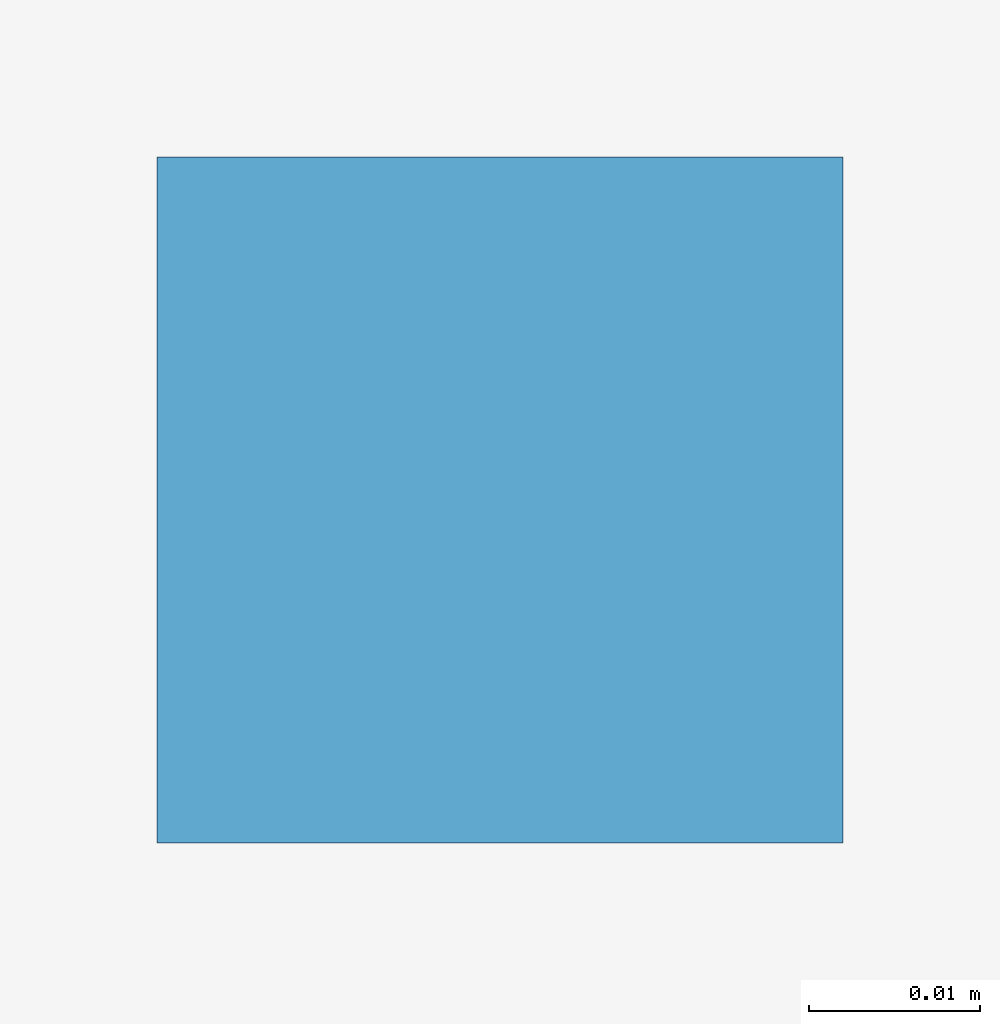
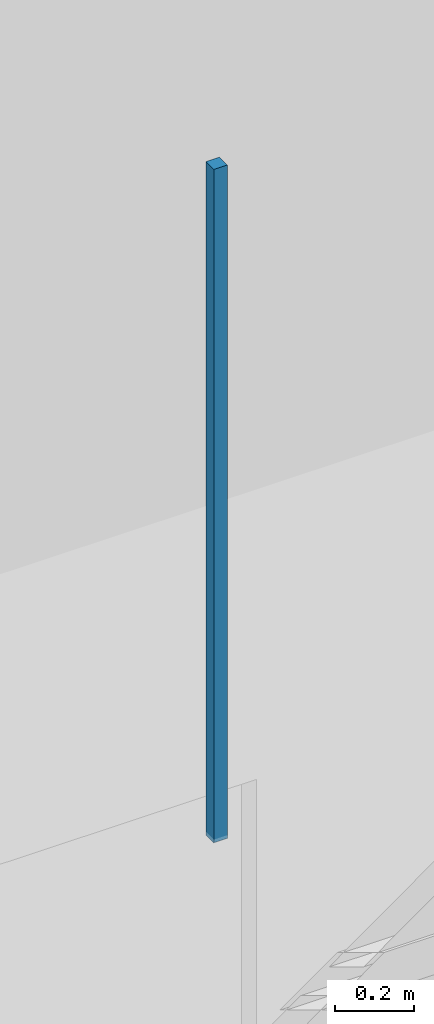
# One storey, part 129 of 157: 1 discrete accessory.
"""IFC4 building model written with IfcOpenShell, lengths in metres."""

from ifc_helpers import new_model, si_unit, direction, frame, origin, origin_2d, place, context, subcontext, project, spatial, rectangle, extrude, material, type_object, element, save


model = new_model("IFC4")

# Units and contexts
model_context = context("Model", 3, precision=1e-05, world=origin(), true_north=direction((0.0, 1.0)))
body_context = subcontext(model_context, "Body", "Model", "MODEL_VIEW")
ifc_project = project(units=[si_unit("LENGTHUNIT", "METRE"), si_unit("AREAUNIT", "SQUARE_METRE"), si_unit("VOLUMEUNIT", "CUBIC_METRE"), si_unit("PLANEANGLEUNIT", "RADIAN"), si_unit("MASSUNIT", "GRAM", prefix="KILO")], contexts=[model_context])

# Site, building, storey
site_placement = place(None, origin())
site = spatial("IfcSite", under=ifc_project, at=site_placement, CompositionType="ELEMENT")
building_placement = place(site_placement, origin())
building = spatial("IfcBuilding", under=site, at=building_placement, Name="Varncliffe General Hospital", CompositionType="ELEMENT")
storey_placement = place(building_placement, frame((0.0, 0.0, 5.39990234375)))
storey = spatial("IfcBuildingStorey", under=building, at=storey_placement, Name="L01", CompositionType="ELEMENT", Elevation=5.39990234375)

# Discrete accessory
ifc_material = material(Name="Powder-coated hospital steel guardrail and handrail", Category="steel")
discrete_accessory_type = type_object("IfcDiscreteAccessoryType", Name="Suspended Ceiling Hanger Bracket CH01", PredefinedType="BRACKET", material=ifc_material)
discrete_accessory_placement = place(storey_placement, frame((130.800048828125, 84.429931640625, 3.18994140625), z_axis=(0.0, 0.0, 1.0), x_axis=(1.0, 0.0, 0.0)))
element("IfcDiscreteAccessory", 1, at=discrete_accessory_placement, inside=storey, type_object=discrete_accessory_type, Name="L01 Suspended Ceiling Hanger 173", PredefinedType="BRACKET", context=body_context, shape_type="SweptSolid", body=[
    extrude(rectangle(XDim=0.0400390625, YDim=0.0400390625, at=origin_2d()), origin(), (0.0, 0.0, 1.0), 2.090087890625),
])

save(model, "model.ifc")
